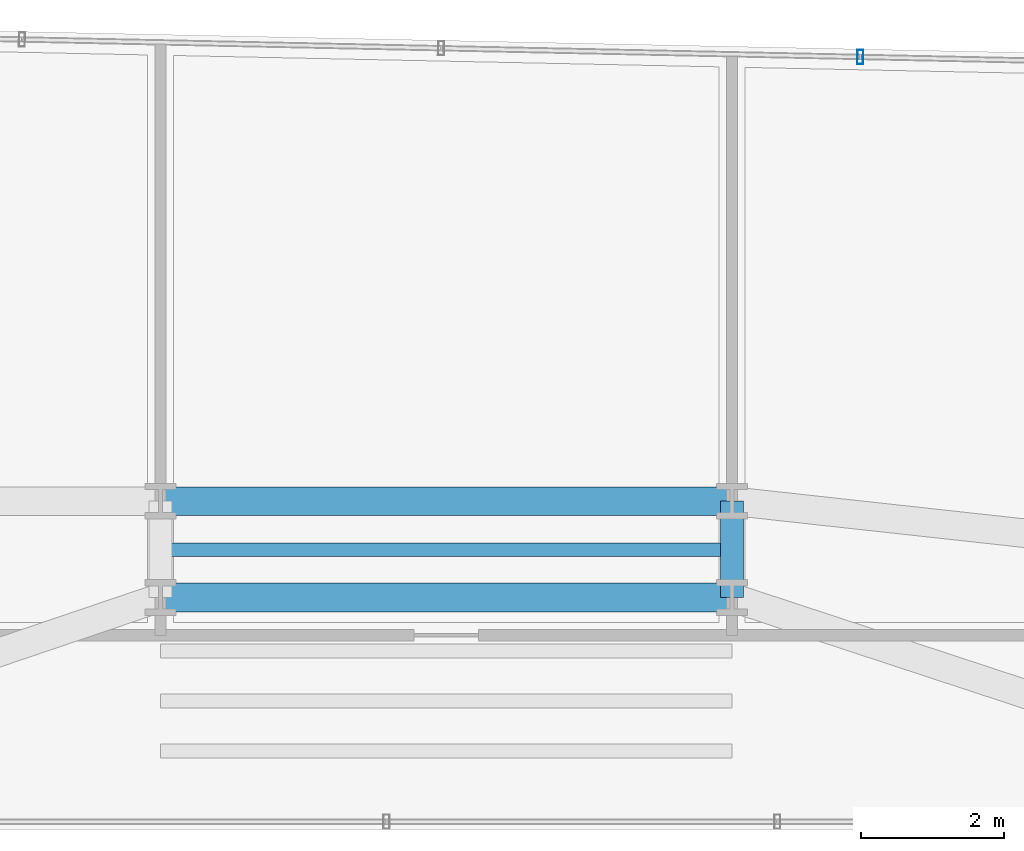
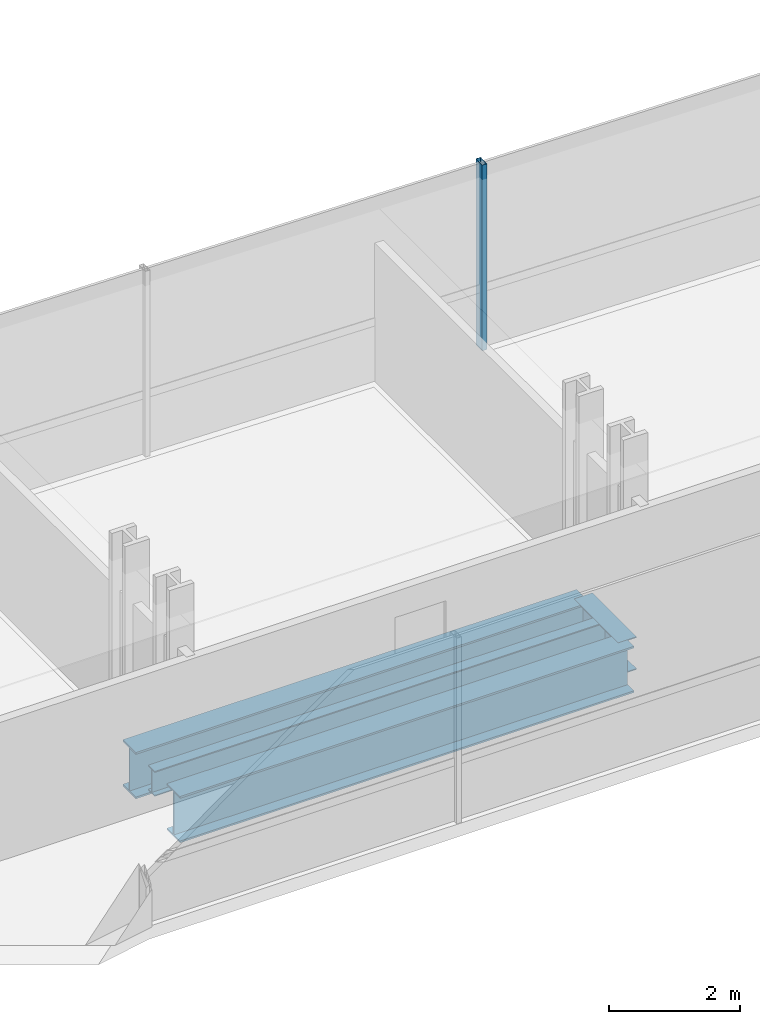
# One storey, part 21 of 39: 4 beams, 1 member, 1 element without a shape of its own.
"""IFC4 building model written with IfcOpenShell, lengths in metres."""

from ifc_helpers import new_model, si_unit, direction, frame, origin, origin_2d, place, context, subcontext, project, spatial, hollow_rectangle, i_section, extrude, source, transform, mapped, material, material_profile, profile_set, type_object, element, aggregate, save


model = new_model("IFC4")

# Units and contexts
model_context = context("Model", 3, precision=1e-05, world=origin(), true_north=direction((0.0, 1.0)))
body_context = subcontext(model_context, "Body", "Model", "MODEL_VIEW")
ifc_project = project(units=[si_unit("LENGTHUNIT", "METRE"), si_unit("AREAUNIT", "SQUARE_METRE"), si_unit("VOLUMEUNIT", "CUBIC_METRE"), si_unit("PLANEANGLEUNIT", "RADIAN"), si_unit("MASSUNIT", "GRAM", prefix="KILO")], contexts=[model_context])

# Site, building, storey
site_placement = place(None, origin())
site = spatial("IfcSite", under=ifc_project, at=site_placement, CompositionType="ELEMENT")
building_placement = place(site_placement, origin())
building = spatial("IfcBuilding", under=site, at=building_placement, Name="Valdorenza Pilgrim Sanctuary Tower", CompositionType="ELEMENT")
storey_placement = place(building_placement, frame((0.0, 0.0, 33.39990234375)))
storey = spatial("IfcBuildingStorey", under=building, at=storey_placement, Name="L07", CompositionType="ELEMENT", Elevation=33.39990234375)

# Beams
ifc_material_1 = material(Name="Steel ASTM A992 Grade 50", Category="steel")
ifc_material_profile_1 = material_profile(ifc_material_1, i_section(OverallWidth=0.39990234375, OverallDepth=0.862060546875, WebThickness=0.019775390625, FlangeThickness=0.032470703125, at=origin_2d()), Name="W33X221")
ifc_profile_set_1 = profile_set([ifc_material_profile_1], Name="Steel ASTM A992 Grade 50")
beam_type_1 = type_object("IfcBeamType", Name="STR-BM-GRD-W33", PredefinedType="BEAM", material=ifc_profile_set_1)
shared_shape_1 = source(origin(), body_context, "Body", "SweptSolid", [
    extrude(i_section(OverallWidth=0.39990234375, OverallDepth=0.862060546875, WebThickness=0.019775390625, FlangeThickness=0.032470703125, at=origin_2d()), origin(), (0.0, 0.0, 1.0), 8.0),
])
for number, where, z_axis, x_axis, name in (
    (1, (-4.0, 13.449951171875, -0.6708984375), (1.0, 0.0, 0.0), (0.0, 1.0, 0.0), "L07 Floor Girder KNK-G2"),
    (2, (-4.0, 14.800048828125, -0.6708984375), (1.0, 0.0, 0.0), (0.0, 1.0, 0.0), "L07 Floor Girder KNK-G5"),
):
    element("IfcBeam", number, at=place(storey_placement, frame(where, z_axis=z_axis, x_axis=x_axis)), inside=storey, type_object=beam_type_1, Name=name, PredefinedType="BEAM", context=body_context, shape_type="MappedRepresentation", body=[
        mapped(shared_shape_1, transform((0.0, 0.0, 0.0), x_axis=(1.0, 0.0, 0.0), y_axis=(0.0, 1.0, 0.0), z_axis=(0.0, 0.0, 1.0), scale=1.0)),
    ])
ifc_material_profile_2 = material_profile(ifc_material_1, i_section(OverallWidth=0.323974609375, OverallDepth=0.611083984375, WebThickness=0.0126953125, FlangeThickness=0.01904296875, at=origin_2d()), Name="W24X104")
ifc_profile_set_2 = profile_set([ifc_material_profile_2], Name="Steel ASTM A992 Grade 50")
beam_type_2 = type_object("IfcBeamType", Name="STR-BM-GRD-W24B", PredefinedType="BEAM", material=ifc_profile_set_2)
shared_shape_2 = source(origin(), body_context, "Body", "SweptSolid", [
    extrude(i_section(OverallWidth=0.323974609375, OverallDepth=0.611083984375, WebThickness=0.0126953125, FlangeThickness=0.01904296875, at=origin_2d()), origin(), (0.0, 0.0, 1.0), 1.35009765625),
])
beam_1_placement = place(storey_placement, frame((4.0, 13.449951171875, -0.54541015625), z_axis=(0.0, 1.0, 0.0), x_axis=(-1.0, 0.0, 0.0)))
element("IfcBeam", 3, at=beam_1_placement, inside=storey, type_object=beam_type_2, Name="L07 Floor Girder KNK-TIE-E", PredefinedType="BEAM", context=body_context, shape_type="MappedRepresentation", body=[
    mapped(shared_shape_2, transform((0.0, 0.0, 0.0), x_axis=(1.0, 0.0, 0.0), y_axis=(0.0, 1.0, 0.0), z_axis=(0.0, 0.0, 1.0), scale=1.0)),
])
ifc_material_profile_3 = material_profile(ifc_material_1, i_section(OverallWidth=0.193115234375, OverallDepth=0.466064453125, WebThickness=0.011474609375, FlangeThickness=0.01904296875, at=origin_2d()), Name="W18X65")
ifc_profile_set_3 = profile_set([ifc_material_profile_3], Name="Steel ASTM A992 Grade 50")
beam_type_3 = type_object("IfcBeamType", Name="STR-BM-JST-W18A", PredefinedType="JOIST", material=ifc_profile_set_3)
shared_shape_3 = source(origin(), body_context, "Body", "SweptSolid", [
    extrude(i_section(OverallWidth=0.193115234375, OverallDepth=0.466064453125, WebThickness=0.011474609375, FlangeThickness=0.01904296875, at=origin_2d()), origin(), (0.0, 0.0, 1.0), 8.0),
])
beam_2_placement = place(storey_placement, frame((-4.0, 14.1201171875, -0.472900390625), z_axis=(1.0, 0.0, 0.0), x_axis=(0.0, 1.0, 0.0)))
element("IfcBeam", 4, at=beam_2_placement, inside=storey, type_object=beam_type_3, Name="L07 Knuckle Composite Joist JST-KNK-4", PredefinedType="JOIST", context=body_context, shape_type="MappedRepresentation", body=[
    mapped(shared_shape_3, transform((0.0, 0.0, 0.0), x_axis=(1.0, 0.0, 0.0), y_axis=(0.0, 1.0, 0.0), z_axis=(0.0, 0.0, 1.0), scale=1.0)),
])

# Curtain wall, member
ifc_material_2 = material(Name="Curtain-wall IGU glazing", Category="glass")
curtain_wall_type = type_object("IfcCurtainWallType", Name="CW-SYS-02", PredefinedType="NOTDEFINED", material=ifc_material_2)
curtain_wall_placement = place(storey_placement, origin())
curtain_wall = element("IfcCurtainWall", 5, at=curtain_wall_placement, inside=storey, type_object=curtain_wall_type, Name="L07 Curtain Wall CW-L07-1-11", PredefinedType="NOTDEFINED")
ifc_material_3 = material(Name="Anodised aluminium AW-6060", Category="aluminium")
ifc_material_profile_4 = material_profile(ifc_material_3, hollow_rectangle(XDim=0.0849609375, YDim=0.199951171875, WallThickness=0.0048828125, at=origin_2d()), Name="ALU-M 200x85x5")
ifc_profile_set_4 = profile_set([ifc_material_profile_4], Name="Anodised aluminium AW-6060")
member_type = type_object("IfcMemberType", Name="CW-MUL-02", PredefinedType="MULLION", material=ifc_profile_set_4)
shared_shape_4 = source(origin(), body_context, "Body", "SweptSolid", [
    extrude(hollow_rectangle(XDim=0.0849609375, YDim=0.199951171875, WallThickness=0.0048828125, at=origin_2d()), origin(), (0.0, 0.0, 1.0), 3.460205078125),
])
member_placement = place(storey_placement, frame((5.797119140625, 21.019287109375, 0.0), z_axis=(0.0, 0.0, 1.0), x_axis=(0.999783234613, -0.020820273474, 0.0)))
member = element("IfcMember", 6, at=member_placement, type_object=member_type, Name="CW-L07-1-11 Mullion 4", PredefinedType="MULLION", context=body_context, shape_type="MappedRepresentation", body=[
    mapped(shared_shape_4, transform((0.0, 0.0, 0.0), x_axis=(1.0, 0.0, 0.0), y_axis=(0.0, 1.0, 0.0), z_axis=(0.0, 0.0, 1.0), scale=1.0)),
])
aggregate(curtain_wall, [member])

save(model, "model.ifc")
